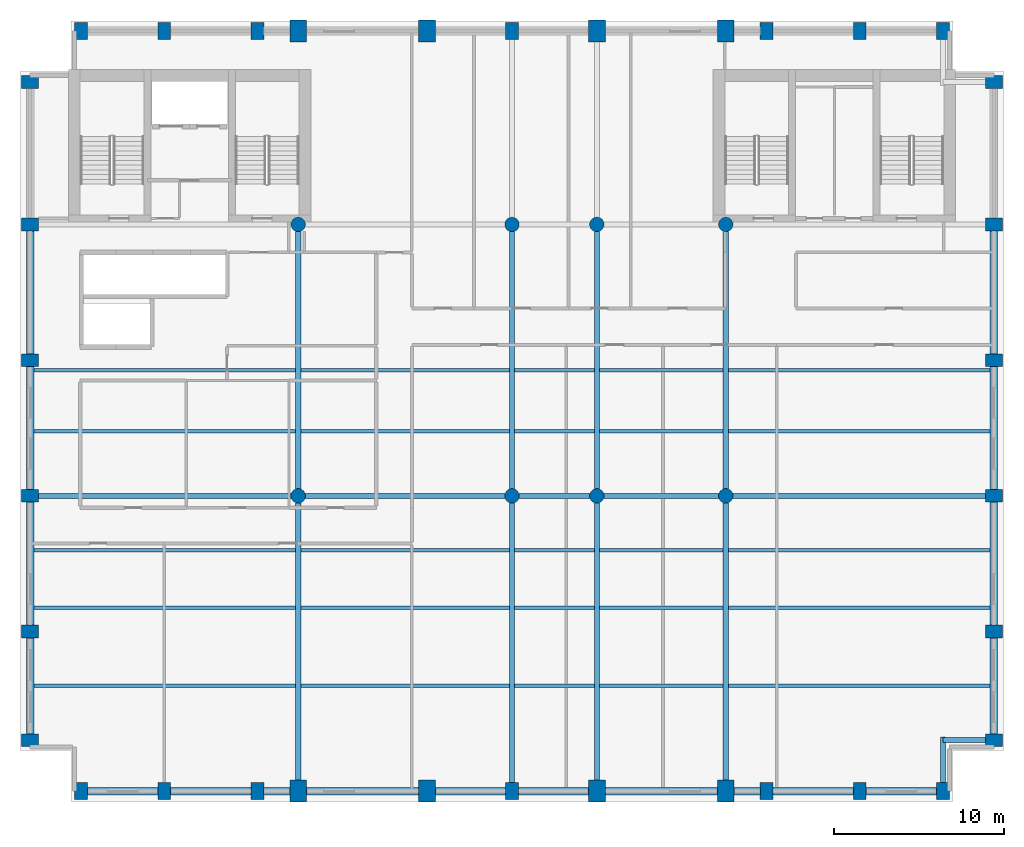
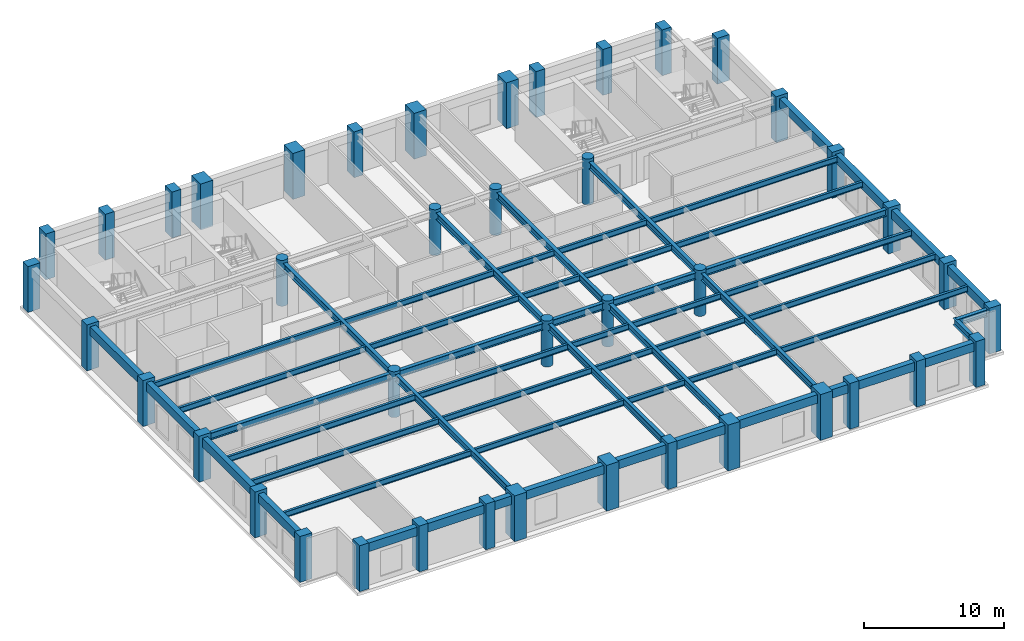
# One storey, part 1 of 8: 58 beams, 42 columns.
"""IFC4 building model written with IfcOpenShell, lengths in metres."""

from ifc_helpers import new_model, si_unit, direction, frame, origin, origin_2d, place, context, subcontext, project, spatial, rectangle, circle, i_section, extrude, material, material_profile, profile_set, type_object, element, save


model = new_model("IFC4")

# Units and contexts
model_context = context("Model", 3, precision=1e-05, world=origin(), true_north=direction((0.0, 1.0)))
body_context = subcontext(model_context, "Body", "Model", "MODEL_VIEW")
ifc_project = project(units=[si_unit("LENGTHUNIT", "METRE"), si_unit("AREAUNIT", "SQUARE_METRE"), si_unit("VOLUMEUNIT", "CUBIC_METRE"), si_unit("PLANEANGLEUNIT", "RADIAN"), si_unit("MASSUNIT", "GRAM", prefix="KILO")], contexts=[model_context])

# Site, building, storey
site_placement = place(None, origin())
site = spatial("IfcSite", under=ifc_project, at=site_placement, CompositionType="ELEMENT")
building_placement = place(site_placement, origin())
building = spatial("IfcBuilding", under=site, at=building_placement, Name="Sulina Concourse Tower", CompositionType="ELEMENT")
storey_placement = place(building_placement, frame((0.0, 0.0, 230.60009765625)))
storey = spatial("IfcBuildingStorey", under=building, at=storey_placement, Name="L56", CompositionType="ELEMENT", Elevation=230.60009765625)

# Columns
ifc_material_1 = material(Name="Precast concrete C50/60", Category="concrete")
ifc_material_profile_1 = material_profile(ifc_material_1, rectangle(XDim=0.75, YDim=1.0, at=origin_2d()), Name="PC 750x1000")
ifc_profile_set_1 = profile_set([ifc_material_profile_1], Name="Precast concrete C50/60")
column_type_1 = type_object("IfcColumnType", Name="Precast Tube Pier Zone 4 750x1000", PredefinedType="COLUMN", material=ifc_profile_set_1)
for number, where, z_axis, x_axis, name in (
    (1, (3.60009765625, 0.60009765625, 0.0), (0.0, 0.0, 1.0), (1.0, 0.0, 0.0), "L56 structural column TP-S-36"),
    (2, (3.60009765625, 45.39990234375, 0.0), (0.0, 0.0, 1.0), (1.0, 0.0, 0.0), "L56 structural column TP-N-36"),
    (3, (8.5, 0.60009765625, 0.0), (0.0, 0.0, 1.0), (1.0, 0.0, 0.0), "L56 structural column TP-S-85"),
    (4, (8.5, 45.39990234375, 0.0), (0.0, 0.0, 1.0), (1.0, 0.0, 0.0), "L56 structural column TP-N-85"),
    (5, (14.0, 0.60009765625, 0.0), (0.0, 0.0, 1.0), (1.0, 0.0, 0.0), "L56 structural column TP-S-140"),
    (6, (14.0, 45.39990234375, 0.0), (0.0, 0.0, 1.0), (1.0, 0.0, 0.0), "L56 structural column TP-N-140"),
    (7, (29.0, 0.60009765625, 0.0), (0.0, 0.0, 1.0), (1.0, 0.0, 0.0), "L56 structural column TP-S-290"),
    (8, (29.0, 45.39990234375, 0.0), (0.0, 0.0, 1.0), (1.0, 0.0, 0.0), "L56 structural column TP-N-290"),
    (9, (44.0, 0.60009765625, 0.0), (0.0, 0.0, 1.0), (1.0, 0.0, 0.0), "L56 structural column TP-S-440"),
    (10, (44.0, 45.39990234375, 0.0), (0.0, 0.0, 1.0), (1.0, 0.0, 0.0), "L56 structural column TP-N-440"),
    (11, (49.5, 0.60009765625, 0.0), (0.0, 0.0, 1.0), (1.0, 0.0, 0.0), "L56 structural column TP-S-495"),
    (12, (49.5, 45.39990234375, 0.0), (0.0, 0.0, 1.0), (1.0, 0.0, 0.0), "L56 structural column TP-N-495"),
    (13, (54.39990234375, 0.60009765625, 0.0), (0.0, 0.0, 1.0), (1.0, 0.0, 0.0), "L56 structural column TP-S-544"),
    (14, (54.39990234375, 45.39990234375, 0.0), (0.0, 0.0, 1.0), (1.0, 0.0, 0.0), "L56 structural column TP-N-544"),
    (15, (0.60009765625, 3.60009765625, 0.0), (0.0, 0.0, 1.0), (0.0, 1.0, 0.0), "L56 structural column TP-W-36"),
    (16, (57.39990234375, 3.60009765625, 0.0), (0.0, 0.0, 1.0), (0.0, 1.0, 0.0), "L56 structural column TP-E-36"),
    (17, (0.60009765625, 10.0, 0.0), (0.0, 0.0, 1.0), (0.0, 1.0, 0.0), "L56 structural column TP-W-100"),
    (18, (57.39990234375, 10.0, 0.0), (0.0, 0.0, 1.0), (0.0, 1.0, 0.0), "L56 structural column TP-E-100"),
    (19, (0.60009765625, 18.0, 0.0), (0.0, 0.0, 1.0), (0.0, 1.0, 0.0), "L56 structural column TP-W-180"),
    (20, (57.39990234375, 18.0, 0.0), (0.0, 0.0, 1.0), (0.0, 1.0, 0.0), "L56 structural column TP-E-180"),
    (21, (0.60009765625, 26.0, 0.0), (0.0, 0.0, 1.0), (0.0, 1.0, 0.0), "L56 structural column TP-W-260"),
    (22, (57.39990234375, 26.0, 0.0), (0.0, 0.0, 1.0), (0.0, 1.0, 0.0), "L56 structural column TP-E-260"),
    (23, (0.60009765625, 34.0, 0.0), (0.0, 0.0, 1.0), (0.0, 1.0, 0.0), "L56 structural column TP-W-340"),
    (24, (57.39990234375, 34.0, 0.0), (0.0, 0.0, 1.0), (0.0, 1.0, 0.0), "L56 structural column TP-E-340"),
    (25, (0.60009765625, 42.39990234375, 0.0), (0.0, 0.0, 1.0), (0.0, 1.0, 0.0), "L56 structural column TP-W-424"),
    (26, (57.39990234375, 42.39990234375, 0.0), (0.0, 0.0, 1.0), (0.0, 1.0, 0.0), "L56 structural column TP-E-424"),
):
    element("IfcColumn", number, at=place(storey_placement, frame(where, z_axis=z_axis, x_axis=x_axis)), inside=storey, type_object=column_type_1, Name=name, PredefinedType="COLUMN", context=body_context, shape_type="SweptSolid", body=[
        extrude(rectangle(XDim=0.75, YDim=1.0, at=origin_2d()), origin(), (0.0, 0.0, 1.0), 4.0),
    ])
ifc_material_2 = material(Name="Concrete C50/60", Category="concrete")
ifc_material_profile_2 = material_profile(ifc_material_2, circle(Radius=0.425048828125, at=origin_2d()), Name="RC D850")
ifc_profile_set_2 = profile_set([ifc_material_profile_2], Name="Concrete C50/60")
column_type_2 = type_object("IfcColumnType", Name="Upper Interior Circular Column D850", PredefinedType="COLUMN", material=ifc_profile_set_2)
for number, where, z_axis, x_axis, name in (
    (27, (16.39990234375, 18.0, 0.0), (0.0, 0.0, 1.0), (1.0, 0.0, 0.0), "L56 structural column IC-M-164"),
    (28, (16.39990234375, 34.0, 0.0), (0.0, 0.0, 1.0), (1.0, 0.0, 0.0), "L56 structural column IC-N-164"),
    (29, (29.0, 18.0, 0.0), (0.0, 0.0, 1.0), (1.0, 0.0, 0.0), "L56 structural column IC-M-290"),
    (30, (29.0, 34.0, 0.0), (0.0, 0.0, 1.0), (1.0, 0.0, 0.0), "L56 structural column IC-N-290"),
    (31, (41.60009765625, 18.0, 0.0), (0.0, 0.0, 1.0), (1.0, 0.0, 0.0), "L56 structural column IC-M-416"),
    (32, (41.60009765625, 34.0, 0.0), (0.0, 0.0, 1.0), (1.0, 0.0, 0.0), "L56 structural column IC-N-416"),
    (33, (34.0, 18.0, 0.0), (0.0, 0.0, 1.0), (1.0, 0.0, 0.0), "L56 structural column IC-M-340"),
    (34, (34.0, 34.0, 0.0), (0.0, 0.0, 1.0), (1.0, 0.0, 0.0), "L56 structural column IC-N-340"),
):
    element("IfcColumn", number, at=place(storey_placement, frame(where, z_axis=z_axis, x_axis=x_axis)), inside=storey, type_object=column_type_2, Name=name, PredefinedType="COLUMN", context=body_context, shape_type="SweptSolid", body=[
        extrude(circle(Radius=0.425048828125, at=origin_2d()), origin(), (0.0, 0.0, 1.0), 4.0),
    ])
ifc_material_3 = material(Name="Concrete C60/75", Category="concrete")
ifc_material_profile_3 = material_profile(ifc_material_3, rectangle(XDim=1.0, YDim=1.300048828125, at=origin_2d()), Name="RC 1000x1300")
ifc_profile_set_3 = profile_set([ifc_material_profile_3], Name="Concrete C60/75")
column_type_3 = type_object("IfcColumnType", Name="Upper Portal Column 1000x1300", PredefinedType="COLUMN", material=ifc_profile_set_3)
for number, where, z_axis, x_axis, name in (
    (35, (16.39990234375, 0.60009765625, 0.0), (0.0, 0.0, 1.0), (1.0, 0.0, 0.0), "L56 structural column TP-S-164"),
    (36, (16.39990234375, 45.39990234375, 0.0), (0.0, 0.0, 1.0), (1.0, 0.0, 0.0), "L56 structural column TP-N-164"),
    (37, (24.0, 0.60009765625, 0.0), (0.0, 0.0, 1.0), (1.0, 0.0, 0.0), "L56 structural column TP-S-240"),
    (38, (24.0, 45.39990234375, 0.0), (0.0, 0.0, 1.0), (1.0, 0.0, 0.0), "L56 structural column TP-N-240"),
    (39, (34.0, 0.60009765625, 0.0), (0.0, 0.0, 1.0), (1.0, 0.0, 0.0), "L56 structural column TP-S-340"),
    (40, (34.0, 45.39990234375, 0.0), (0.0, 0.0, 1.0), (1.0, 0.0, 0.0), "L56 structural column TP-N-340"),
    (41, (41.60009765625, 0.60009765625, 0.0), (0.0, 0.0, 1.0), (1.0, 0.0, 0.0), "L56 structural column TP-S-416"),
    (42, (41.60009765625, 45.39990234375, 0.0), (0.0, 0.0, 1.0), (1.0, 0.0, 0.0), "L56 structural column TP-N-416"),
):
    element("IfcColumn", number, at=place(storey_placement, frame(where, z_axis=z_axis, x_axis=x_axis)), inside=storey, type_object=column_type_3, Name=name, PredefinedType="COLUMN", context=body_context, shape_type="SweptSolid", body=[
        extrude(rectangle(XDim=1.0, YDim=1.300048828125, at=origin_2d()), origin(), (0.0, 0.0, 1.0), 4.0),
    ])

# Beams
ifc_material_4 = material(Name="Steel S355", Category="steel")
ifc_material_profile_4 = material_profile(ifc_material_4, i_section(OverallWidth=0.199951171875, OverallDepth=0.5, WebThickness=0.01025390625, FlangeThickness=0.01611328125, at=origin_2d()), Name="IPE 500")
ifc_profile_set_4 = profile_set([ifc_material_profile_4], Name="Steel S355")
beam_type_1 = type_object("IfcBeamType", Name="Composite Floor Joist IPE500", PredefinedType="JOIST", material=ifc_profile_set_4)
beam_1_placement = place(storey_placement, frame((0.824951171875, 6.800048828125, 3.5), z_axis=(1.0, 0.0, 0.0), x_axis=(0.0, 1.0, 0.0)))
element("IfcBeam", 43, at=beam_1_placement, inside=storey, type_object=beam_type_1, Name="FJ-J06-1-L56", PredefinedType="JOIST", context=body_context, shape_type="SweptSolid", body=[
    extrude(i_section(OverallWidth=0.199951171875, OverallDepth=0.5, WebThickness=0.01025390625, FlangeThickness=0.01611328125, at=origin_2d()), origin(), (0.0, 0.0, 1.0), 15.425048828125),
])
beam_2_placement = place(storey_placement, frame((16.550048828125, 6.800048828125, 3.5), z_axis=(1.0, 0.0, 0.0), x_axis=(0.0, 1.0, 0.0)))
element("IfcBeam", 44, at=beam_2_placement, inside=storey, type_object=beam_type_1, Name="FJ-J06-2-L56", PredefinedType="JOIST", context=body_context, shape_type="SweptSolid", body=[
    extrude(i_section(OverallWidth=0.199951171875, OverallDepth=0.5, WebThickness=0.01025390625, FlangeThickness=0.01611328125, at=origin_2d()), origin(), (0.0, 0.0, 1.0), 12.300048828125),
])
beam_3_placement = place(storey_placement, frame((29.14990234375, 6.800048828125, 3.5), z_axis=(1.0, 0.0, 0.0), x_axis=(0.0, 1.0, 0.0)))
element("IfcBeam", 45, at=beam_3_placement, inside=storey, type_object=beam_type_1, Name="FJ-J06-3-L56", PredefinedType="JOIST", context=body_context, shape_type="SweptSolid", body=[
    extrude(i_section(OverallWidth=0.199951171875, OverallDepth=0.5, WebThickness=0.01025390625, FlangeThickness=0.01611328125, at=origin_2d()), origin(), (0.0, 0.0, 1.0), 4.7001953125),
])
beam_4_placement = place(storey_placement, frame((34.14990234375, 6.800048828125, 3.5), z_axis=(1.0, 0.0, 0.0), x_axis=(0.0, 1.0, 0.0)))
element("IfcBeam", 46, at=beam_4_placement, inside=storey, type_object=beam_type_1, Name="FJ-J06-4-L56", PredefinedType="JOIST", context=body_context, shape_type="SweptSolid", body=[
    extrude(i_section(OverallWidth=0.199951171875, OverallDepth=0.5, WebThickness=0.01025390625, FlangeThickness=0.01611328125, at=origin_2d()), origin(), (0.0, 0.0, 1.0), 7.300048828125),
])
for number, where, z_axis, x_axis, name in (
    (47, (41.75, 6.800048828125, 3.5), (1.0, 0.0, 0.0), (0.0, 1.0, 0.0), "FJ-J06-5-L56"),
    (48, (0.824951171875, 11.39990234375, 3.5), (1.0, 0.0, 0.0), (0.0, 1.0, 0.0), "FJ-J11-1-L56"),
):
    element("IfcBeam", number, at=place(storey_placement, frame(where, z_axis=z_axis, x_axis=x_axis)), inside=storey, type_object=beam_type_1, Name=name, PredefinedType="JOIST", context=body_context, shape_type="SweptSolid", body=[
        extrude(i_section(OverallWidth=0.199951171875, OverallDepth=0.5, WebThickness=0.01025390625, FlangeThickness=0.01611328125, at=origin_2d()), origin(), (0.0, 0.0, 1.0), 15.425048828125),
    ])
beam_5_placement = place(storey_placement, frame((16.550048828125, 11.39990234375, 3.5), z_axis=(1.0, 0.0, 0.0), x_axis=(0.0, 1.0, 0.0)))
element("IfcBeam", 49, at=beam_5_placement, inside=storey, type_object=beam_type_1, Name="FJ-J11-2-L56", PredefinedType="JOIST", context=body_context, shape_type="SweptSolid", body=[
    extrude(i_section(OverallWidth=0.199951171875, OverallDepth=0.5, WebThickness=0.01025390625, FlangeThickness=0.01611328125, at=origin_2d()), origin(), (0.0, 0.0, 1.0), 12.300048828125),
])
beam_6_placement = place(storey_placement, frame((29.14990234375, 11.39990234375, 3.5), z_axis=(1.0, 0.0, 0.0), x_axis=(0.0, 1.0, 0.0)))
element("IfcBeam", 50, at=beam_6_placement, inside=storey, type_object=beam_type_1, Name="FJ-J11-3-L56", PredefinedType="JOIST", context=body_context, shape_type="SweptSolid", body=[
    extrude(i_section(OverallWidth=0.199951171875, OverallDepth=0.5, WebThickness=0.01025390625, FlangeThickness=0.01611328125, at=origin_2d()), origin(), (0.0, 0.0, 1.0), 4.7001953125),
])
beam_7_placement = place(storey_placement, frame((34.14990234375, 11.39990234375, 3.5), z_axis=(1.0, 0.0, 0.0), x_axis=(0.0, 1.0, 0.0)))
element("IfcBeam", 51, at=beam_7_placement, inside=storey, type_object=beam_type_1, Name="FJ-J11-4-L56", PredefinedType="JOIST", context=body_context, shape_type="SweptSolid", body=[
    extrude(i_section(OverallWidth=0.199951171875, OverallDepth=0.5, WebThickness=0.01025390625, FlangeThickness=0.01611328125, at=origin_2d()), origin(), (0.0, 0.0, 1.0), 7.300048828125),
])
for number, where, z_axis, x_axis, name in (
    (52, (41.75, 11.39990234375, 3.5), (1.0, 0.0, 0.0), (0.0, 1.0, 0.0), "FJ-J11-5-L56"),
    (53, (0.824951171875, 14.800048828125, 3.5), (1.0, 0.0, 0.0), (0.0, 1.0, 0.0), "FJ-J15-1-L56"),
):
    element("IfcBeam", number, at=place(storey_placement, frame(where, z_axis=z_axis, x_axis=x_axis)), inside=storey, type_object=beam_type_1, Name=name, PredefinedType="JOIST", context=body_context, shape_type="SweptSolid", body=[
        extrude(i_section(OverallWidth=0.199951171875, OverallDepth=0.5, WebThickness=0.01025390625, FlangeThickness=0.01611328125, at=origin_2d()), origin(), (0.0, 0.0, 1.0), 15.425048828125),
    ])
beam_8_placement = place(storey_placement, frame((16.550048828125, 14.800048828125, 3.5), z_axis=(1.0, 0.0, 0.0), x_axis=(0.0, 1.0, 0.0)))
element("IfcBeam", 54, at=beam_8_placement, inside=storey, type_object=beam_type_1, Name="FJ-J15-2-L56", PredefinedType="JOIST", context=body_context, shape_type="SweptSolid", body=[
    extrude(i_section(OverallWidth=0.199951171875, OverallDepth=0.5, WebThickness=0.01025390625, FlangeThickness=0.01611328125, at=origin_2d()), origin(), (0.0, 0.0, 1.0), 12.300048828125),
])
beam_9_placement = place(storey_placement, frame((29.14990234375, 14.800048828125, 3.5), z_axis=(1.0, 0.0, 0.0), x_axis=(0.0, 1.0, 0.0)))
element("IfcBeam", 55, at=beam_9_placement, inside=storey, type_object=beam_type_1, Name="FJ-J15-3-L56", PredefinedType="JOIST", context=body_context, shape_type="SweptSolid", body=[
    extrude(i_section(OverallWidth=0.199951171875, OverallDepth=0.5, WebThickness=0.01025390625, FlangeThickness=0.01611328125, at=origin_2d()), origin(), (0.0, 0.0, 1.0), 4.7001953125),
])
beam_10_placement = place(storey_placement, frame((34.14990234375, 14.800048828125, 3.5), z_axis=(1.0, 0.0, 0.0), x_axis=(0.0, 1.0, 0.0)))
element("IfcBeam", 56, at=beam_10_placement, inside=storey, type_object=beam_type_1, Name="FJ-J15-4-L56", PredefinedType="JOIST", context=body_context, shape_type="SweptSolid", body=[
    extrude(i_section(OverallWidth=0.199951171875, OverallDepth=0.5, WebThickness=0.01025390625, FlangeThickness=0.01611328125, at=origin_2d()), origin(), (0.0, 0.0, 1.0), 7.300048828125),
])
for number, where, z_axis, x_axis, name in (
    (57, (41.75, 14.800048828125, 3.5), (1.0, 0.0, 0.0), (0.0, 1.0, 0.0), "FJ-J15-5-L56"),
    (58, (0.824951171875, 21.800048828125, 3.5), (1.0, 0.0, 0.0), (0.0, 1.0, 0.0), "FJ-J22-1-L56"),
):
    element("IfcBeam", number, at=place(storey_placement, frame(where, z_axis=z_axis, x_axis=x_axis)), inside=storey, type_object=beam_type_1, Name=name, PredefinedType="JOIST", context=body_context, shape_type="SweptSolid", body=[
        extrude(i_section(OverallWidth=0.199951171875, OverallDepth=0.5, WebThickness=0.01025390625, FlangeThickness=0.01611328125, at=origin_2d()), origin(), (0.0, 0.0, 1.0), 15.425048828125),
    ])
beam_11_placement = place(storey_placement, frame((16.550048828125, 21.800048828125, 3.5), z_axis=(1.0, 0.0, 0.0), x_axis=(0.0, 1.0, 0.0)))
element("IfcBeam", 59, at=beam_11_placement, inside=storey, type_object=beam_type_1, Name="FJ-J22-2-L56", PredefinedType="JOIST", context=body_context, shape_type="SweptSolid", body=[
    extrude(i_section(OverallWidth=0.199951171875, OverallDepth=0.5, WebThickness=0.01025390625, FlangeThickness=0.01611328125, at=origin_2d()), origin(), (0.0, 0.0, 1.0), 12.300048828125),
])
beam_12_placement = place(storey_placement, frame((29.14990234375, 21.800048828125, 3.5), z_axis=(1.0, 0.0, 0.0), x_axis=(0.0, 1.0, 0.0)))
element("IfcBeam", 60, at=beam_12_placement, inside=storey, type_object=beam_type_1, Name="FJ-J22-3-L56", PredefinedType="JOIST", context=body_context, shape_type="SweptSolid", body=[
    extrude(i_section(OverallWidth=0.199951171875, OverallDepth=0.5, WebThickness=0.01025390625, FlangeThickness=0.01611328125, at=origin_2d()), origin(), (0.0, 0.0, 1.0), 4.7001953125),
])
beam_13_placement = place(storey_placement, frame((34.14990234375, 21.800048828125, 3.5), z_axis=(1.0, 0.0, 0.0), x_axis=(0.0, 1.0, 0.0)))
element("IfcBeam", 61, at=beam_13_placement, inside=storey, type_object=beam_type_1, Name="FJ-J22-4-L56", PredefinedType="JOIST", context=body_context, shape_type="SweptSolid", body=[
    extrude(i_section(OverallWidth=0.199951171875, OverallDepth=0.5, WebThickness=0.01025390625, FlangeThickness=0.01611328125, at=origin_2d()), origin(), (0.0, 0.0, 1.0), 7.300048828125),
])
for number, where, z_axis, x_axis, name in (
    (62, (41.75, 21.800048828125, 3.5), (1.0, 0.0, 0.0), (0.0, 1.0, 0.0), "FJ-J22-5-L56"),
    (63, (0.824951171875, 25.39990234375, 3.5), (1.0, 0.0, 0.0), (0.0, 1.0, 0.0), "FJ-J25-1-L56"),
):
    element("IfcBeam", number, at=place(storey_placement, frame(where, z_axis=z_axis, x_axis=x_axis)), inside=storey, type_object=beam_type_1, Name=name, PredefinedType="JOIST", context=body_context, shape_type="SweptSolid", body=[
        extrude(i_section(OverallWidth=0.199951171875, OverallDepth=0.5, WebThickness=0.01025390625, FlangeThickness=0.01611328125, at=origin_2d()), origin(), (0.0, 0.0, 1.0), 15.425048828125),
    ])
beam_14_placement = place(storey_placement, frame((16.550048828125, 25.39990234375, 3.5), z_axis=(1.0, 0.0, 0.0), x_axis=(0.0, 1.0, 0.0)))
element("IfcBeam", 64, at=beam_14_placement, inside=storey, type_object=beam_type_1, Name="FJ-J25-2-L56", PredefinedType="JOIST", context=body_context, shape_type="SweptSolid", body=[
    extrude(i_section(OverallWidth=0.199951171875, OverallDepth=0.5, WebThickness=0.01025390625, FlangeThickness=0.01611328125, at=origin_2d()), origin(), (0.0, 0.0, 1.0), 12.300048828125),
])
beam_15_placement = place(storey_placement, frame((29.14990234375, 25.39990234375, 3.5), z_axis=(1.0, 0.0, 0.0), x_axis=(0.0, 1.0, 0.0)))
element("IfcBeam", 65, at=beam_15_placement, inside=storey, type_object=beam_type_1, Name="FJ-J25-3-L56", PredefinedType="JOIST", context=body_context, shape_type="SweptSolid", body=[
    extrude(i_section(OverallWidth=0.199951171875, OverallDepth=0.5, WebThickness=0.01025390625, FlangeThickness=0.01611328125, at=origin_2d()), origin(), (0.0, 0.0, 1.0), 4.7001953125),
])
beam_16_placement = place(storey_placement, frame((34.14990234375, 25.39990234375, 3.5), z_axis=(1.0, 0.0, 0.0), x_axis=(0.0, 1.0, 0.0)))
element("IfcBeam", 66, at=beam_16_placement, inside=storey, type_object=beam_type_1, Name="FJ-J25-4-L56", PredefinedType="JOIST", context=body_context, shape_type="SweptSolid", body=[
    extrude(i_section(OverallWidth=0.199951171875, OverallDepth=0.5, WebThickness=0.01025390625, FlangeThickness=0.01611328125, at=origin_2d()), origin(), (0.0, 0.0, 1.0), 7.300048828125),
])
beam_17_placement = place(storey_placement, frame((41.75, 25.39990234375, 3.5), z_axis=(1.0, 0.0, 0.0), x_axis=(0.0, 1.0, 0.0)))
element("IfcBeam", 67, at=beam_17_placement, inside=storey, type_object=beam_type_1, Name="FJ-J25-5-L56", PredefinedType="JOIST", context=body_context, shape_type="SweptSolid", body=[
    extrude(i_section(OverallWidth=0.199951171875, OverallDepth=0.5, WebThickness=0.01025390625, FlangeThickness=0.01611328125, at=origin_2d()), origin(), (0.0, 0.0, 1.0), 15.425048828125),
])
ifc_material_5 = material(Name="Steel S355", Category="steel")
ifc_material_profile_5 = material_profile(ifc_material_5, i_section(OverallWidth=0.300048828125, OverallDepth=0.60009765625, WebThickness=0.015380859375, FlangeThickness=0.030029296875, at=origin_2d()), Name="HE 600 B")
ifc_profile_set_5 = profile_set([ifc_material_profile_5], Name="Steel S355")
beam_type_2 = type_object("IfcBeamType", Name="Floor Primary Girder Zone 3 HE600B", PredefinedType="BEAM", material=ifc_profile_set_5)
beam_18_placement = place(storey_placement, frame((54.39990234375, 3.60009765625, 3.449951171875), z_axis=(1.0, 0.0, 0.0), x_axis=(0.0, 1.0, 0.0)))
element("IfcBeam", 68, at=beam_18_placement, inside=storey, type_object=beam_type_2, Name="TIE-SE-L56", PredefinedType="BEAM", context=body_context, shape_type="SweptSolid", body=[
    extrude(i_section(OverallWidth=0.300048828125, OverallDepth=0.60009765625, WebThickness=0.015380859375, FlangeThickness=0.030029296875, at=origin_2d()), origin(), (0.0, 0.0, 1.0), 2.64501953125),
])
beam_19_placement = place(storey_placement, frame((54.39990234375, 0.955078125, 3.449951171875), z_axis=(0.0, 1.0, 0.0), x_axis=(-1.0, 0.0, 0.0)))
element("IfcBeam", 69, at=beam_19_placement, inside=storey, type_object=beam_type_2, Name="TIE-SES-L56", PredefinedType="BEAM", context=body_context, shape_type="SweptSolid", body=[
    extrude(i_section(OverallWidth=0.300048828125, OverallDepth=0.60009765625, WebThickness=0.015380859375, FlangeThickness=0.030029296875, at=origin_2d()), origin(), (0.0, 0.0, 1.0), 2.844970703125),
])
beam_20_placement = place(storey_placement, frame((0.955078125, 18.0, 3.449951171875), z_axis=(1.0, 0.0, 0.0), x_axis=(0.0, 1.0, 0.0)))
element("IfcBeam", 70, at=beam_20_placement, inside=storey, type_object=beam_type_2, Name="FG-EW1-L56", PredefinedType="BEAM", context=body_context, shape_type="SweptSolid", body=[
    extrude(i_section(OverallWidth=0.300048828125, OverallDepth=0.60009765625, WebThickness=0.015380859375, FlangeThickness=0.030029296875, at=origin_2d()), origin(), (0.0, 0.0, 1.0), 15.0400390625),
])
beam_21_placement = place(storey_placement, frame((16.804931640625, 18.0, 3.449951171875), z_axis=(1.0, 0.0, 0.0), x_axis=(0.0, 1.0, 0.0)))
element("IfcBeam", 71, at=beam_21_placement, inside=storey, type_object=beam_type_2, Name="FG-EW2-L56", PredefinedType="BEAM", context=body_context, shape_type="SweptSolid", body=[
    extrude(i_section(OverallWidth=0.300048828125, OverallDepth=0.60009765625, WebThickness=0.015380859375, FlangeThickness=0.030029296875, at=origin_2d()), origin(), (0.0, 0.0, 1.0), 11.7900390625),
])
beam_22_placement = place(storey_placement, frame((29.405029296875, 18.0, 3.449951171875), z_axis=(1.0, 0.0, 0.0), x_axis=(0.0, 1.0, 0.0)))
element("IfcBeam", 72, at=beam_22_placement, inside=storey, type_object=beam_type_2, Name="FG-EW3-L56", PredefinedType="BEAM", context=body_context, shape_type="SweptSolid", body=[
    extrude(i_section(OverallWidth=0.300048828125, OverallDepth=0.60009765625, WebThickness=0.015380859375, FlangeThickness=0.030029296875, at=origin_2d()), origin(), (0.0, 0.0, 1.0), 4.18994140625),
])
beam_23_placement = place(storey_placement, frame((34.405029296875, 18.0, 3.449951171875), z_axis=(1.0, 0.0, 0.0), x_axis=(0.0, 1.0, 0.0)))
element("IfcBeam", 73, at=beam_23_placement, inside=storey, type_object=beam_type_2, Name="FG-EW4-L56", PredefinedType="BEAM", context=body_context, shape_type="SweptSolid", body=[
    extrude(i_section(OverallWidth=0.300048828125, OverallDepth=0.60009765625, WebThickness=0.015380859375, FlangeThickness=0.030029296875, at=origin_2d()), origin(), (0.0, 0.0, 1.0), 6.7900390625),
])
beam_24_placement = place(storey_placement, frame((42.0048828125, 18.0, 3.449951171875), z_axis=(1.0, 0.0, 0.0), x_axis=(0.0, 1.0, 0.0)))
element("IfcBeam", 74, at=beam_24_placement, inside=storey, type_object=beam_type_2, Name="FG-EW5-L56", PredefinedType="BEAM", context=body_context, shape_type="SweptSolid", body=[
    extrude(i_section(OverallWidth=0.300048828125, OverallDepth=0.60009765625, WebThickness=0.015380859375, FlangeThickness=0.030029296875, at=origin_2d()), origin(), (0.0, 0.0, 1.0), 15.0400390625),
])
beam_25_placement = place(storey_placement, frame((16.39990234375, 1.080078125, 3.449951171875), z_axis=(0.0, 1.0, 0.0), x_axis=(-1.0, 0.0, 0.0)))
element("IfcBeam", 75, at=beam_25_placement, inside=storey, type_object=beam_type_2, Name="FG-NSA-16-L56", PredefinedType="BEAM", context=body_context, shape_type="SweptSolid", body=[
    extrude(i_section(OverallWidth=0.300048828125, OverallDepth=0.60009765625, WebThickness=0.015380859375, FlangeThickness=0.030029296875, at=origin_2d()), origin(), (0.0, 0.0, 1.0), 16.514892578125),
])
beam_26_placement = place(storey_placement, frame((16.39990234375, 18.405029296875, 3.449951171875), z_axis=(0.0, 1.0, 0.0), x_axis=(-1.0, 0.0, 0.0)))
element("IfcBeam", 76, at=beam_26_placement, inside=storey, type_object=beam_type_2, Name="FG-NSB-16-L56", PredefinedType="BEAM", context=body_context, shape_type="SweptSolid", body=[
    extrude(i_section(OverallWidth=0.300048828125, OverallDepth=0.60009765625, WebThickness=0.015380859375, FlangeThickness=0.030029296875, at=origin_2d()), origin(), (0.0, 0.0, 1.0), 15.18994140625),
])
beam_27_placement = place(storey_placement, frame((29.0, 0.955078125, 3.449951171875), z_axis=(0.0, 1.0, 0.0), x_axis=(-1.0, 0.0, 0.0)))
element("IfcBeam", 77, at=beam_27_placement, inside=storey, type_object=beam_type_2, Name="FG-NSA-29-L56", PredefinedType="BEAM", context=body_context, shape_type="SweptSolid", body=[
    extrude(i_section(OverallWidth=0.300048828125, OverallDepth=0.60009765625, WebThickness=0.015380859375, FlangeThickness=0.030029296875, at=origin_2d()), origin(), (0.0, 0.0, 1.0), 16.639892578125),
])
beam_28_placement = place(storey_placement, frame((29.0, 18.405029296875, 3.449951171875), z_axis=(0.0, 1.0, 0.0), x_axis=(-1.0, 0.0, 0.0)))
element("IfcBeam", 78, at=beam_28_placement, inside=storey, type_object=beam_type_2, Name="FG-NSB-29-L56", PredefinedType="BEAM", context=body_context, shape_type="SweptSolid", body=[
    extrude(i_section(OverallWidth=0.300048828125, OverallDepth=0.60009765625, WebThickness=0.015380859375, FlangeThickness=0.030029296875, at=origin_2d()), origin(), (0.0, 0.0, 1.0), 15.18994140625),
])
beam_29_placement = place(storey_placement, frame((34.0, 1.080078125, 3.449951171875), z_axis=(0.0, 1.0, 0.0), x_axis=(-1.0, 0.0, 0.0)))
element("IfcBeam", 79, at=beam_29_placement, inside=storey, type_object=beam_type_2, Name="FG-NSA-34-L56", PredefinedType="BEAM", context=body_context, shape_type="SweptSolid", body=[
    extrude(i_section(OverallWidth=0.300048828125, OverallDepth=0.60009765625, WebThickness=0.015380859375, FlangeThickness=0.030029296875, at=origin_2d()), origin(), (0.0, 0.0, 1.0), 16.514892578125),
])
beam_30_placement = place(storey_placement, frame((34.0, 18.405029296875, 3.449951171875), z_axis=(0.0, 1.0, 0.0), x_axis=(-1.0, 0.0, 0.0)))
element("IfcBeam", 80, at=beam_30_placement, inside=storey, type_object=beam_type_2, Name="FG-NSB-34-L56", PredefinedType="BEAM", context=body_context, shape_type="SweptSolid", body=[
    extrude(i_section(OverallWidth=0.300048828125, OverallDepth=0.60009765625, WebThickness=0.015380859375, FlangeThickness=0.030029296875, at=origin_2d()), origin(), (0.0, 0.0, 1.0), 15.18994140625),
])
beam_31_placement = place(storey_placement, frame((41.60009765625, 1.080078125, 3.449951171875), z_axis=(0.0, 1.0, 0.0), x_axis=(-1.0, 0.0, 0.0)))
element("IfcBeam", 81, at=beam_31_placement, inside=storey, type_object=beam_type_2, Name="FG-NSA-41-L56", PredefinedType="BEAM", context=body_context, shape_type="SweptSolid", body=[
    extrude(i_section(OverallWidth=0.300048828125, OverallDepth=0.60009765625, WebThickness=0.015380859375, FlangeThickness=0.030029296875, at=origin_2d()), origin(), (0.0, 0.0, 1.0), 16.514892578125),
])
beam_32_placement = place(storey_placement, frame((41.60009765625, 18.405029296875, 3.449951171875), z_axis=(0.0, 1.0, 0.0), x_axis=(-1.0, 0.0, 0.0)))
element("IfcBeam", 82, at=beam_32_placement, inside=storey, type_object=beam_type_2, Name="FG-NSB-41-L56", PredefinedType="BEAM", context=body_context, shape_type="SweptSolid", body=[
    extrude(i_section(OverallWidth=0.300048828125, OverallDepth=0.60009765625, WebThickness=0.015380859375, FlangeThickness=0.030029296875, at=origin_2d()), origin(), (0.0, 0.0, 1.0), 15.18994140625),
])
ifc_material_6 = material(Name="Precast concrete C50/60", Category="concrete")
ifc_material_profile_6 = material_profile(ifc_material_6, rectangle(XDim=0.449951171875, YDim=0.75, at=origin_2d()), Name="RC 450x750")
ifc_profile_set_6 = profile_set([ifc_material_profile_6], Name="Precast concrete C50/60")
beam_type_3 = type_object("IfcBeamType", Name="Upper Precast Spandrel Edge Beam 450x750", PredefinedType="BEAM", material=ifc_profile_set_6)
beam_33_placement = place(storey_placement, frame((3.955078125, 0.60009765625, 3.375), z_axis=(1.0, 0.0, 0.0), x_axis=(0.0, 1.0, 0.0)))
element("IfcBeam", 83, at=beam_33_placement, inside=storey, type_object=beam_type_3, Name="SP-S1-L56", PredefinedType="BEAM", context=body_context, shape_type="SweptSolid", body=[
    extrude(rectangle(XDim=0.449951171875, YDim=0.75, at=origin_2d()), origin(), (0.0, 0.0, 1.0), 4.18994140625),
])
beam_34_placement = place(storey_placement, frame((8.85498046875, 0.60009765625, 3.375), z_axis=(1.0, 0.0, 0.0), x_axis=(0.0, 1.0, 0.0)))
element("IfcBeam", 84, at=beam_34_placement, inside=storey, type_object=beam_type_3, Name="SP-S2-L56", PredefinedType="BEAM", context=body_context, shape_type="SweptSolid", body=[
    extrude(rectangle(XDim=0.449951171875, YDim=0.75, at=origin_2d()), origin(), (0.0, 0.0, 1.0), 4.7900390625),
])
beam_35_placement = place(storey_placement, frame((14.35498046875, 0.60009765625, 3.375), z_axis=(1.0, 0.0, 0.0), x_axis=(0.0, 1.0, 0.0)))
element("IfcBeam", 85, at=beam_35_placement, inside=storey, type_object=beam_type_3, Name="SP-S3-L56", PredefinedType="BEAM", context=body_context, shape_type="SweptSolid", body=[
    extrude(rectangle(XDim=0.449951171875, YDim=0.75, at=origin_2d()), origin(), (0.0, 0.0, 1.0), 1.56494140625),
])
beam_36_placement = place(storey_placement, frame((16.8798828125, 0.60009765625, 3.375), z_axis=(1.0, 0.0, 0.0), x_axis=(0.0, 1.0, 0.0)))
element("IfcBeam", 86, at=beam_36_placement, inside=storey, type_object=beam_type_3, Name="SP-S4-L56", PredefinedType="BEAM", context=body_context, shape_type="SweptSolid", body=[
    extrude(rectangle(XDim=0.449951171875, YDim=0.75, at=origin_2d()), origin(), (0.0, 0.0, 1.0), 6.64013671875),
])
for number, where, z_axis, x_axis, name in (
    (87, (24.47998046875, 0.60009765625, 3.375), (1.0, 0.0, 0.0), (0.0, 1.0, 0.0), "SP-S5-L56"),
    (88, (29.35498046875, 0.60009765625, 3.375), (1.0, 0.0, 0.0), (0.0, 1.0, 0.0), "SP-S6-L56"),
):
    element("IfcBeam", number, at=place(storey_placement, frame(where, z_axis=z_axis, x_axis=x_axis)), inside=storey, type_object=beam_type_3, Name=name, PredefinedType="BEAM", context=body_context, shape_type="SweptSolid", body=[
        extrude(rectangle(XDim=0.449951171875, YDim=0.75, at=origin_2d()), origin(), (0.0, 0.0, 1.0), 4.1650390625),
    ])
beam_37_placement = place(storey_placement, frame((34.47998046875, 0.60009765625, 3.375), z_axis=(1.0, 0.0, 0.0), x_axis=(0.0, 1.0, 0.0)))
element("IfcBeam", 89, at=beam_37_placement, inside=storey, type_object=beam_type_3, Name="SP-S7-L56", PredefinedType="BEAM", context=body_context, shape_type="SweptSolid", body=[
    extrude(rectangle(XDim=0.449951171875, YDim=0.75, at=origin_2d()), origin(), (0.0, 0.0, 1.0), 6.64013671875),
])
beam_38_placement = place(storey_placement, frame((42.080078125, 0.60009765625, 3.375), z_axis=(1.0, 0.0, 0.0), x_axis=(0.0, 1.0, 0.0)))
element("IfcBeam", 90, at=beam_38_placement, inside=storey, type_object=beam_type_3, Name="SP-S8-L56", PredefinedType="BEAM", context=body_context, shape_type="SweptSolid", body=[
    extrude(rectangle(XDim=0.449951171875, YDim=0.75, at=origin_2d()), origin(), (0.0, 0.0, 1.0), 1.56494140625),
])
beam_39_placement = place(storey_placement, frame((44.35498046875, 0.60009765625, 3.375), z_axis=(1.0, 0.0, 0.0), x_axis=(0.0, 1.0, 0.0)))
element("IfcBeam", 91, at=beam_39_placement, inside=storey, type_object=beam_type_3, Name="SP-S9-L56", PredefinedType="BEAM", context=body_context, shape_type="SweptSolid", body=[
    extrude(rectangle(XDim=0.449951171875, YDim=0.75, at=origin_2d()), origin(), (0.0, 0.0, 1.0), 4.7900390625),
])
beam_40_placement = place(storey_placement, frame((49.85498046875, 0.60009765625, 3.375), z_axis=(1.0, 0.0, 0.0), x_axis=(0.0, 1.0, 0.0)))
element("IfcBeam", 92, at=beam_40_placement, inside=storey, type_object=beam_type_3, Name="SP-S10-L56", PredefinedType="BEAM", context=body_context, shape_type="SweptSolid", body=[
    extrude(rectangle(XDim=0.449951171875, YDim=0.75, at=origin_2d()), origin(), (0.0, 0.0, 1.0), 4.18994140625),
])
beam_41_placement = place(storey_placement, frame((0.60009765625, 3.955078125, 3.375), z_axis=(0.0, 1.0, 0.0), x_axis=(-1.0, 0.0, 0.0)))
element("IfcBeam", 93, at=beam_41_placement, inside=storey, type_object=beam_type_3, Name="SP-W1-L56", PredefinedType="BEAM", context=body_context, shape_type="SweptSolid", body=[
    extrude(rectangle(XDim=0.449951171875, YDim=0.75, at=origin_2d()), origin(), (0.0, 0.0, 1.0), 5.68994140625),
])
for number, where, z_axis, x_axis, name in (
    (94, (0.60009765625, 10.35498046875, 3.375), (0.0, 1.0, 0.0), (-1.0, 0.0, 0.0), "SP-W2-L56"),
    (95, (0.60009765625, 18.35498046875, 3.375), (0.0, 1.0, 0.0), (-1.0, 0.0, 0.0), "SP-W3-L56"),
    (96, (0.60009765625, 26.35498046875, 3.375), (0.0, 1.0, 0.0), (-1.0, 0.0, 0.0), "SP-W4-L56"),
):
    element("IfcBeam", number, at=place(storey_placement, frame(where, z_axis=z_axis, x_axis=x_axis)), inside=storey, type_object=beam_type_3, Name=name, PredefinedType="BEAM", context=body_context, shape_type="SweptSolid", body=[
        extrude(rectangle(XDim=0.449951171875, YDim=0.75, at=origin_2d()), origin(), (0.0, 0.0, 1.0), 7.2900390625),
    ])
beam_42_placement = place(storey_placement, frame((57.39990234375, 3.955078125, 3.375), z_axis=(0.0, 1.0, 0.0), x_axis=(-1.0, 0.0, 0.0)))
element("IfcBeam", 97, at=beam_42_placement, inside=storey, type_object=beam_type_3, Name="SP-E1-L56", PredefinedType="BEAM", context=body_context, shape_type="SweptSolid", body=[
    extrude(rectangle(XDim=0.449951171875, YDim=0.75, at=origin_2d()), origin(), (0.0, 0.0, 1.0), 5.68994140625),
])
for number, where, z_axis, x_axis, name in (
    (98, (57.39990234375, 10.35498046875, 3.375), (0.0, 1.0, 0.0), (-1.0, 0.0, 0.0), "SP-E2-L56"),
    (99, (57.39990234375, 18.35498046875, 3.375), (0.0, 1.0, 0.0), (-1.0, 0.0, 0.0), "SP-E3-L56"),
    (100, (57.39990234375, 26.35498046875, 3.375), (0.0, 1.0, 0.0), (-1.0, 0.0, 0.0), "SP-E4-L56"),
):
    element("IfcBeam", number, at=place(storey_placement, frame(where, z_axis=z_axis, x_axis=x_axis)), inside=storey, type_object=beam_type_3, Name=name, PredefinedType="BEAM", context=body_context, shape_type="SweptSolid", body=[
        extrude(rectangle(XDim=0.449951171875, YDim=0.75, at=origin_2d()), origin(), (0.0, 0.0, 1.0), 7.2900390625),
    ])

save(model, "model.ifc")
